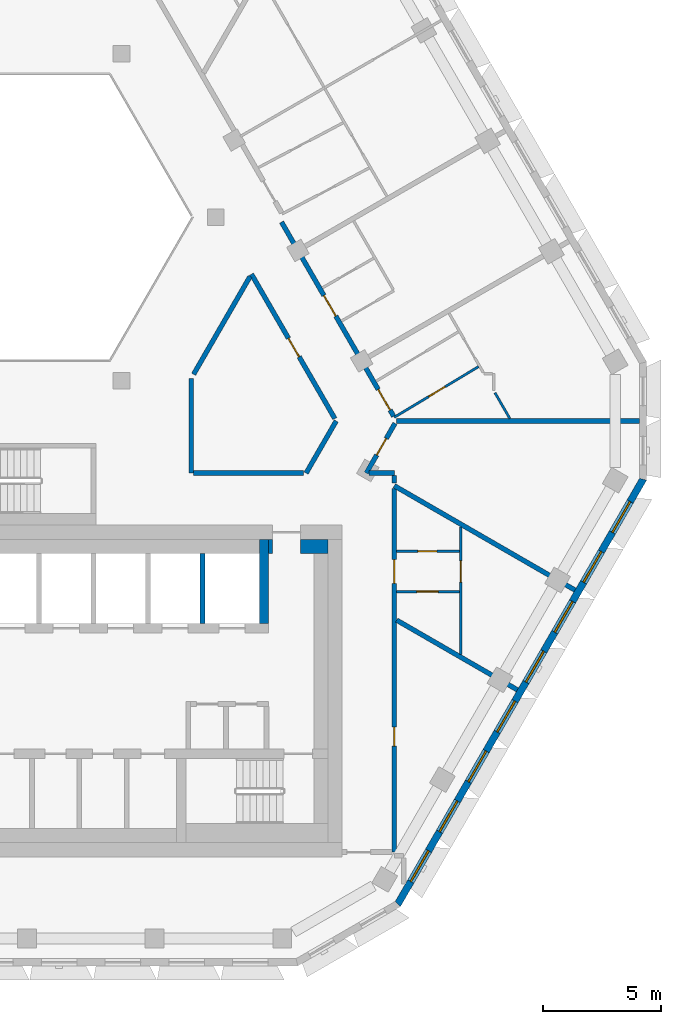
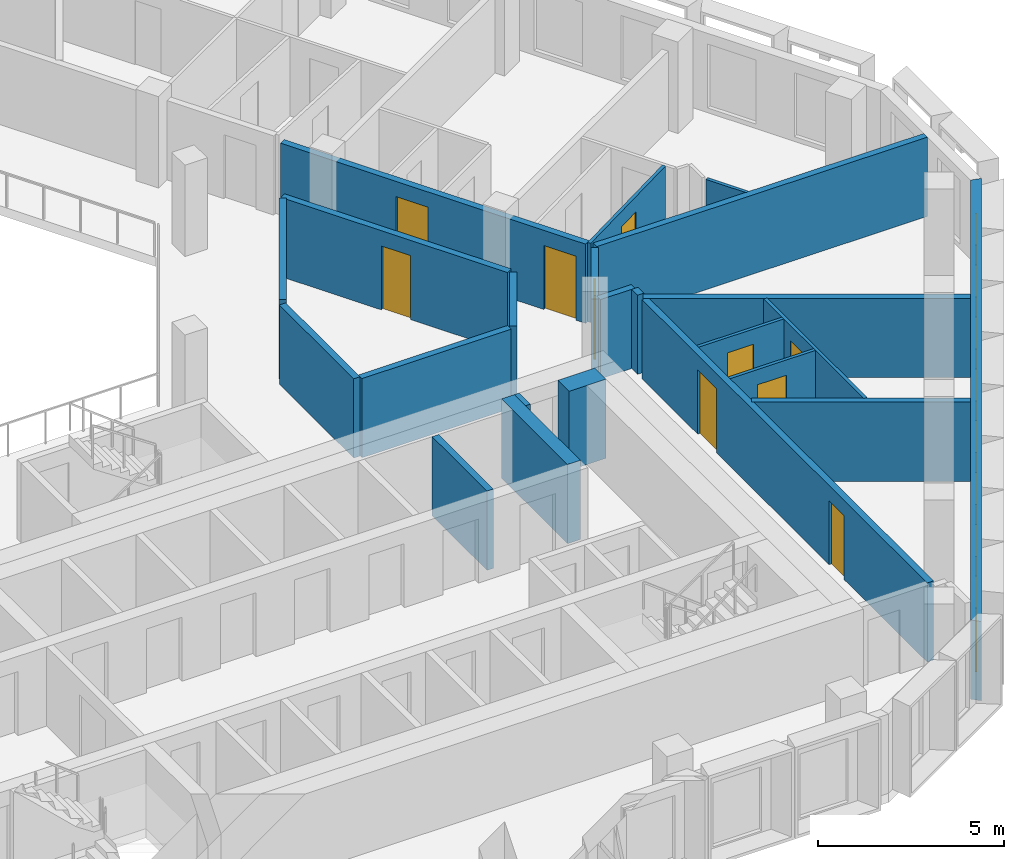
# One storey, part 6 of 18: 23 walls, 10 doors, 8 windows, 18 openings.
"""IFC4 building model written with IfcOpenShell, lengths in metres."""

from ifc_helpers import new_model, si_unit, direction, frame, frame_2d, origin, place, context, subcontext, project, spatial, polyline, rectangle, outline, extrude, material, layer, layer_set, type_object, element, fill, save


model = new_model("IFC4")

# Units and contexts
model_context = context("Model", 3, precision=1e-05, world=origin(), true_north=direction((0.0, 1.0)))
body_context = subcontext(model_context, "Body", "Model", "MODEL_VIEW")
ifc_project = project(units=[si_unit("LENGTHUNIT", "METRE"), si_unit("AREAUNIT", "SQUARE_METRE"), si_unit("VOLUMEUNIT", "CUBIC_METRE"), si_unit("PLANEANGLEUNIT", "RADIAN"), si_unit("MASSUNIT", "GRAM", prefix="KILO")], contexts=[model_context])

# Site, building, storey
site_placement = place(None, origin())
site = spatial("IfcSite", under=ifc_project, at=site_placement, CompositionType="ELEMENT")
building_placement = place(site_placement, origin())
building = spatial("IfcBuilding", under=site, at=building_placement, Name="Beryl Residences", CompositionType="ELEMENT")
storey_placement = place(building_placement, frame((0.0, 0.0, 196.199951171875)))
storey = spatial("IfcBuildingStorey", under=building, at=storey_placement, Name="L60", CompositionType="ELEMENT", Elevation=196.199951171875)

# Wall, openings, windows
ifc_material_1 = material(Name="Composite metal panel with mineral wool insulation")
ifc_layer_1 = layer(ifc_material_1, 0.300048828125)
ifc_layer_set_1 = layer_set([ifc_layer_1], Name="ES1 pale metal composite panel wall 300 mm")
wall_type_1 = type_object("IfcWallType", Name="ES1 pale metal composite panel wall 300 mm", PredefinedType="SOLIDWALL", material=ifc_layer_set_1)
wall_1_placement = place(storey_placement, frame((15.631103515625, -21.02490234375, 0.0), z_axis=(0.0, 0.0, 1.0), x_axis=(0.500018670445, 0.86601462413, 0.0)))
wall_1 = element("IfcWall", 1, at=wall_1_placement, inside=storey, type_object=wall_type_1, Name="ES1 external wall L60 SE", PredefinedType="SOLIDWALL", context=body_context, shape_type="SweptSolid", body=[
    extrude(outline(polyline([(0.0, -0.14990234375), (20.784912109375, -0.14990234375), (20.70458984375, 0.14990234375), (0.080322265625, 0.14990234375), (0.0, -0.14990234375)])), origin(), (0.0, 0.0, 1.0), 2.60009765625),
])
opening_1_placement = place(wall_1_placement, frame((1.1298828125, 0.0, 0.14990234375)))
opening_1 = element("IfcOpeningElement", 2, at=opening_1_placement, cuts=wall_1, Name="Opening W1", PredefinedType="OPENING", context=body_context, shape_type="SweptSolid", body=[
    extrude(rectangle(XDim=1.5, YDim=2.10009765625, at=frame_2d((0.75, 1.050048828125))), frame((0.0, 0.159912109375, 0.0), z_axis=(0.0, -1.0, 0.0), x_axis=(1.0, 0.0, 0.0)), (0.0, 0.0, 1.0), 0.320068359375),
])
opening_2_placement = place(wall_1_placement, frame((3.56201171875, 0.0, 0.14990234375)))
opening_2 = element("IfcOpeningElement", 3, at=opening_2_placement, cuts=wall_1, Name="Opening W1", PredefinedType="OPENING", context=body_context, shape_type="SweptSolid", body=[
    extrude(rectangle(XDim=1.5, YDim=2.10009765625, at=frame_2d((0.75, 1.050048828125))), frame((0.0, 0.159912109375, 0.0), z_axis=(0.0, -1.0, 0.0), x_axis=(1.0, 0.0, 0.0)), (0.0, 0.0, 1.0), 0.320068359375),
])
opening_3_placement = place(wall_1_placement, frame((5.993896484375, 0.0, 0.14990234375)))
opening_3 = element("IfcOpeningElement", 4, at=opening_3_placement, cuts=wall_1, Name="Opening W1", PredefinedType="OPENING", context=body_context, shape_type="SweptSolid", body=[
    extrude(rectangle(XDim=1.5, YDim=2.10009765625, at=frame_2d((0.75, 1.050048828125))), frame((0.0, 0.159912109375, 0.0), z_axis=(0.0, -1.0, 0.0), x_axis=(1.0, 0.0, 0.0)), (0.0, 0.0, 1.0), 0.320068359375),
])
opening_4_placement = place(wall_1_placement, frame((8.425048828125, 0.0, 0.14990234375)))
opening_4 = element("IfcOpeningElement", 5, at=opening_4_placement, cuts=wall_1, Name="Opening W1", PredefinedType="OPENING", context=body_context, shape_type="SweptSolid", body=[
    extrude(rectangle(XDim=1.5, YDim=2.10009765625, at=frame_2d((0.75, 1.050048828125))), frame((0.0, 0.159912109375, 0.0), z_axis=(0.0, -1.0, 0.0), x_axis=(1.0, 0.0, 0.0)), (0.0, 0.0, 1.0), 0.320068359375),
])
opening_5_placement = place(wall_1_placement, frame((10.85693359375, 0.0, 0.14990234375)))
opening_5 = element("IfcOpeningElement", 6, at=opening_5_placement, cuts=wall_1, Name="Opening W1", PredefinedType="OPENING", context=body_context, shape_type="SweptSolid", body=[
    extrude(rectangle(XDim=1.5, YDim=2.10009765625, at=frame_2d((0.75, 1.050048828125))), frame((0.0, 0.159912109375, 0.0), z_axis=(0.0, -1.0, 0.0), x_axis=(1.0, 0.0, 0.0)), (0.0, 0.0, 1.0), 0.320068359375),
])
opening_6_placement = place(wall_1_placement, frame((13.2890625, 0.0, 0.14990234375)))
opening_6 = element("IfcOpeningElement", 7, at=opening_6_placement, cuts=wall_1, Name="Opening W1", PredefinedType="OPENING", context=body_context, shape_type="SweptSolid", body=[
    extrude(rectangle(XDim=1.5, YDim=2.10009765625, at=frame_2d((0.75, 1.050048828125))), frame((0.0, 0.159912109375, 0.0), z_axis=(0.0, -1.0, 0.0), x_axis=(1.0, 0.0, 0.0)), (0.0, 0.0, 1.0), 0.320068359375),
])
opening_7_placement = place(wall_1_placement, frame((15.721923828125, 0.0, 0.14990234375)))
opening_7 = element("IfcOpeningElement", 8, at=opening_7_placement, cuts=wall_1, Name="Opening W1", PredefinedType="OPENING", context=body_context, shape_type="SweptSolid", body=[
    extrude(rectangle(XDim=1.5, YDim=2.10009765625, at=frame_2d((0.75, 1.050048828125))), frame((0.0, 0.159912109375, 0.0), z_axis=(0.0, -1.0, 0.0), x_axis=(1.0, 0.0, 0.0)), (0.0, 0.0, 1.0), 0.320068359375),
])
opening_8_placement = place(wall_1_placement, frame((18.154052734375, 0.0, 0.14990234375)))
opening_8 = element("IfcOpeningElement", 9, at=opening_8_placement, cuts=wall_1, Name="Opening W1", PredefinedType="OPENING", context=body_context, shape_type="SweptSolid", body=[
    extrude(rectangle(XDim=1.5, YDim=2.10009765625, at=frame_2d((0.75, 1.050048828125))), frame((0.0, 0.159912109375, 0.0), z_axis=(0.0, -1.0, 0.0), x_axis=(1.0, 0.0, 0.0)), (0.0, 0.0, 1.0), 0.320068359375),
])
ifc_material_2 = material(Name="Aluminium and clear glass", Category="aluminium")
window_type = type_object("IfcWindowType", Name="W1 cell window 1500 x 2100 mm", PartitioningType="SINGLE_PANEL", PredefinedType="WINDOW", material=ifc_material_2)
window_1_placement = place(opening_1_placement, origin())
window_1 = element("IfcWindow", 10, at=window_1_placement, inside=storey, type_object=window_type, Name="W1 window L60 SE 1", OverallHeight=2.10009765625, OverallWidth=1.5, PartitioningType="SINGLE_PANEL", PredefinedType="WINDOW", context=body_context, shape_type="SweptSolid", body=[
    extrude(rectangle(XDim=1.5, YDim=2.10009765625, at=frame_2d((0.75, 1.050048828125))), frame((0.0, 0.030029296875, 0.0), z_axis=(0.0, -1.0, 0.0), x_axis=(1.0, 0.0, 0.0)), (0.0, 0.0, 1.0), 0.06005859375),
])
fill(opening_1, window_1)
window_2_placement = place(opening_2_placement, origin())
window_2 = element("IfcWindow", 11, at=window_2_placement, inside=storey, type_object=window_type, Name="W1 window L60 SE 2", OverallHeight=2.10009765625, OverallWidth=1.5, PartitioningType="SINGLE_PANEL", PredefinedType="WINDOW", context=body_context, shape_type="SweptSolid", body=[
    extrude(rectangle(XDim=1.5, YDim=2.10009765625, at=frame_2d((0.75, 1.050048828125))), frame((0.0, 0.030029296875, 0.0), z_axis=(0.0, -1.0, 0.0), x_axis=(1.0, 0.0, 0.0)), (0.0, 0.0, 1.0), 0.06005859375),
])
fill(opening_2, window_2)
window_3_placement = place(opening_3_placement, origin())
window_3 = element("IfcWindow", 12, at=window_3_placement, inside=storey, type_object=window_type, Name="W1 window L60 SE 3", OverallHeight=2.10009765625, OverallWidth=1.5, PartitioningType="SINGLE_PANEL", PredefinedType="WINDOW", context=body_context, shape_type="SweptSolid", body=[
    extrude(rectangle(XDim=1.5, YDim=2.10009765625, at=frame_2d((0.75, 1.050048828125))), frame((0.0, 0.030029296875, 0.0), z_axis=(0.0, -1.0, 0.0), x_axis=(1.0, 0.0, 0.0)), (0.0, 0.0, 1.0), 0.06005859375),
])
fill(opening_3, window_3)
window_4_placement = place(opening_4_placement, origin())
window_4 = element("IfcWindow", 13, at=window_4_placement, inside=storey, type_object=window_type, Name="W1 window L60 SE 4", OverallHeight=2.10009765625, OverallWidth=1.5, PartitioningType="SINGLE_PANEL", PredefinedType="WINDOW", context=body_context, shape_type="SweptSolid", body=[
    extrude(rectangle(XDim=1.5, YDim=2.10009765625, at=frame_2d((0.75, 1.050048828125))), frame((0.0, 0.030029296875, 0.0), z_axis=(0.0, -1.0, 0.0), x_axis=(1.0, 0.0, 0.0)), (0.0, 0.0, 1.0), 0.06005859375),
])
fill(opening_4, window_4)
window_5_placement = place(opening_5_placement, origin())
window_5 = element("IfcWindow", 14, at=window_5_placement, inside=storey, type_object=window_type, Name="W1 window L60 SE 5", OverallHeight=2.10009765625, OverallWidth=1.5, PartitioningType="SINGLE_PANEL", PredefinedType="WINDOW", context=body_context, shape_type="SweptSolid", body=[
    extrude(rectangle(XDim=1.5, YDim=2.10009765625, at=frame_2d((0.75, 1.050048828125))), frame((0.0, 0.030029296875, 0.0), z_axis=(0.0, -1.0, 0.0), x_axis=(1.0, 0.0, 0.0)), (0.0, 0.0, 1.0), 0.06005859375),
])
fill(opening_5, window_5)
window_6_placement = place(opening_6_placement, origin())
window_6 = element("IfcWindow", 15, at=window_6_placement, inside=storey, type_object=window_type, Name="W1 window L60 SE 6", OverallHeight=2.10009765625, OverallWidth=1.5, PartitioningType="SINGLE_PANEL", PredefinedType="WINDOW", context=body_context, shape_type="SweptSolid", body=[
    extrude(rectangle(XDim=1.5, YDim=2.10009765625, at=frame_2d((0.75, 1.050048828125))), frame((0.0, 0.030029296875, 0.0), z_axis=(0.0, -1.0, 0.0), x_axis=(1.0, 0.0, 0.0)), (0.0, 0.0, 1.0), 0.06005859375),
])
fill(opening_6, window_6)
window_7_placement = place(opening_7_placement, origin())
window_7 = element("IfcWindow", 16, at=window_7_placement, inside=storey, type_object=window_type, Name="W1 window L60 SE 7", OverallHeight=2.10009765625, OverallWidth=1.5, PartitioningType="SINGLE_PANEL", PredefinedType="WINDOW", context=body_context, shape_type="SweptSolid", body=[
    extrude(rectangle(XDim=1.5, YDim=2.10009765625, at=frame_2d((0.75, 1.050048828125))), frame((0.0, 0.030029296875, 0.0), z_axis=(0.0, -1.0, 0.0), x_axis=(1.0, 0.0, 0.0)), (0.0, 0.0, 1.0), 0.06005859375),
])
fill(opening_7, window_7)
window_8_placement = place(opening_8_placement, origin())
window_8 = element("IfcWindow", 17, at=window_8_placement, inside=storey, type_object=window_type, Name="W1 window L60 SE 8", OverallHeight=2.10009765625, OverallWidth=1.5, PartitioningType="SINGLE_PANEL", PredefinedType="WINDOW", context=body_context, shape_type="SweptSolid", body=[
    extrude(rectangle(XDim=1.5, YDim=2.10009765625, at=frame_2d((0.75, 1.050048828125))), frame((0.0, 0.030029296875, 0.0), z_axis=(0.0, -1.0, 0.0), x_axis=(1.0, 0.0, 0.0)), (0.0, 0.0, 1.0), 0.06005859375),
])
fill(opening_8, window_8)

# Wall
ifc_material_3 = material(Name="Gypsum board partition on steel studs", Category="steel")
ifc_layer_2 = layer(ifc_material_3, 0.10009765625)
ifc_layer_set_2 = layer_set([ifc_layer_2], Name="PT1 partition 100 mm gypsum board on steel studs")
wall_type_2 = type_object("IfcWallType", Name="PT1 partition 100 mm gypsum board on steel studs", PredefinedType="PARTITIONING", material=ifc_layer_set_2)
wall_2_placement = place(storey_placement, frame((19.75, 0.592041015625, 0.0), z_axis=(0.0, 0.0, 1.0), x_axis=(0.499974077718, -0.866040369504, 0.0)))
element("IfcWall", 18, at=wall_2_placement, inside=storey, type_object=wall_type_2, Name="Wall PT1 L60 005", PredefinedType="PARTITIONING", context=body_context, shape_type="SweptSolid", body=[
    extrude(rectangle(XDim=1.259765625, YDim=0.10009765625, at=frame_2d((0.6298828125, 0.0))), origin(), (0.0, 0.0, 1.0), 2.60009765625),
])

# Wall, opening, door
wall_3_placement = place(storey_placement, frame((15.60009765625, -6.10107421875, 0.0), z_axis=(0.0, 0.0, 1.0), x_axis=(1.0, 0.0, 0.0)))
wall_3 = element("IfcWall", 19, at=wall_3_placement, inside=storey, type_object=wall_type_2, Name="Wall PT1 L60 018", PredefinedType="PARTITIONING", context=body_context, shape_type="SweptSolid", body=[
    extrude(rectangle(XDim=2.64990234375, YDim=0.10009765625, at=frame_2d((1.324951171875, 0.0))), origin(), (0.0, 0.0, 1.0), 2.60009765625),
])
opening_9_placement = place(wall_3_placement, frame((0.89990234375, 0.0, 0.0)))
opening_9 = element("IfcOpeningElement", 20, at=opening_9_placement, cuts=wall_3, Name="Opening D1535", PredefinedType="OPENING", context=body_context, shape_type="SweptSolid", body=[
    extrude(rectangle(XDim=0.800048828125, YDim=2.10009765625, at=frame_2d((0.39990234375, 1.050048828125))), frame((0.0, 0.06005859375, 0.0), z_axis=(0.0, -1.0, 0.0), x_axis=(1.0, 0.0, 0.0)), (0.0, 0.0, 1.0), 0.1201171875),
])
ifc_material_4 = material(Name="Timber door leaf", Category="wood")
door_type_1 = type_object("IfcDoorType", Name="D3 bathroom door 800 x 2100 mm", OperationType="SINGLE_SWING_LEFT", PredefinedType="DOOR", material=ifc_material_4)
door_1_placement = place(opening_9_placement, origin())
door_1 = element("IfcDoor", 21, at=door_1_placement, inside=storey, type_object=door_type_1, Name="Door D1535 L60 001", OperationType="SINGLE_SWING_LEFT", OverallHeight=2.10009765625, OverallWidth=0.800048828125, PredefinedType="DOOR", context=body_context, shape_type="SweptSolid", body=[
    extrude(rectangle(XDim=0.800048828125, YDim=2.10009765625, at=frame_2d((0.39990234375, 1.050048828125))), frame((0.0, 0.02490234375, 0.0), z_axis=(0.0, -1.0, 0.0), x_axis=(1.0, 0.0, 0.0)), (0.0, 0.0, 1.0), 0.050048828125),
])
fill(opening_9, door_1)

wall_4_placement = place(storey_placement, frame((15.60009765625, -7.801025390625, 0.0), z_axis=(0.0, 0.0, 1.0), x_axis=(1.0, 0.0, 0.0)))
wall_4 = element("IfcWall", 22, at=wall_4_placement, inside=storey, type_object=wall_type_2, Name="Wall PT1 L60 019", PredefinedType="PARTITIONING", context=body_context, shape_type="SweptSolid", body=[
    extrude(rectangle(XDim=2.64990234375, YDim=0.10009765625, at=frame_2d((1.324951171875, 0.0))), origin(), (0.0, 0.0, 1.0), 2.60009765625),
])
opening_10_placement = place(wall_4_placement, frame((0.85009765625, 0.0, 0.0)))
opening_10 = element("IfcOpeningElement", 23, at=opening_10_placement, cuts=wall_4, Name="Opening D1536", PredefinedType="OPENING", context=body_context, shape_type="SweptSolid", body=[
    extrude(rectangle(XDim=0.89990234375, YDim=2.10009765625, at=frame_2d((0.449951171875, 1.050048828125))), frame((0.0, 0.06005859375, 0.0), z_axis=(0.0, -1.0, 0.0), x_axis=(1.0, 0.0, 0.0)), (0.0, 0.0, 1.0), 0.1201171875),
])
ifc_material_5 = material(Name="Timber door leaf", Category="wood")
door_type_2 = type_object("IfcDoorType", Name="D2 room door 900 x 2100 mm", OperationType="SINGLE_SWING_LEFT", PredefinedType="DOOR", material=ifc_material_5)
door_2_placement = place(opening_10_placement, origin())
door_2 = element("IfcDoor", 24, at=door_2_placement, inside=storey, type_object=door_type_2, Name="Door D1536 L60 001", OperationType="SINGLE_SWING_RIGHT", OverallHeight=2.10009765625, OverallWidth=0.89990234375, PredefinedType="DOOR", context=body_context, shape_type="SweptSolid", body=[
    extrude(rectangle(XDim=0.89990234375, YDim=2.10009765625, at=frame_2d((0.449951171875, 1.050048828125))), frame((0.0, 0.02490234375, 0.0), z_axis=(0.0, -1.0, 0.0), x_axis=(1.0, 0.0, 0.0)), (0.0, 0.0, 1.0), 0.050048828125),
])
fill(opening_10, door_2)

wall_5_placement = place(storey_placement, frame((18.300048828125, -10.451904296875, 0.0), z_axis=(0.0, 0.0, 1.0), x_axis=(0.0, 1.0, 0.0)))
wall_5 = element("IfcWall", 25, at=wall_5_placement, inside=storey, type_object=wall_type_2, Name="Wall PT1 L60 032", PredefinedType="PARTITIONING", context=body_context, shape_type="SweptSolid", body=[
    extrude(rectangle(XDim=5.385986328125, YDim=0.10009765625, at=frame_2d((2.69287109375, 0.0))), origin(), (0.0, 0.0, 1.0), 2.60009765625),
])
opening_11_placement = place(wall_5_placement, frame((3.051025390625, 0.0, 0.0)))
opening_11 = element("IfcOpeningElement", 26, at=opening_11_placement, cuts=wall_5, Name="Opening D1537", PredefinedType="OPENING", context=body_context, shape_type="SweptSolid", body=[
    extrude(rectangle(XDim=0.89990234375, YDim=2.10009765625, at=frame_2d((0.449951171875, 1.050048828125))), frame((0.0, 0.06005859375, 0.0), z_axis=(0.0, -1.0, 0.0), x_axis=(1.0, 0.0, 0.0)), (0.0, 0.0, 1.0), 0.1201171875),
])
door_3_placement = place(opening_11_placement, origin())
door_3 = element("IfcDoor", 27, at=door_3_placement, inside=storey, type_object=door_type_2, Name="Door D1537 L60 001", OperationType="SINGLE_SWING_LEFT", OverallHeight=2.10009765625, OverallWidth=0.89990234375, PredefinedType="DOOR", context=body_context, shape_type="SweptSolid", body=[
    extrude(rectangle(XDim=0.89990234375, YDim=2.10009765625, at=frame_2d((0.449951171875, 1.050048828125))), frame((0.0, 0.02490234375, 0.0), z_axis=(0.0, -1.0, 0.0), x_axis=(1.0, 0.0, 0.0)), (0.0, 0.0, 1.0), 0.050048828125),
])
fill(opening_11, door_3)

wall_6_placement = place(storey_placement, frame((15.4990234375, -0.444091796875, 0.0), z_axis=(0.0, 0.0, 1.0), x_axis=(0.857061798163, 0.515213619899, 0.0)))
wall_6 = element("IfcWall", 28, at=wall_6_placement, inside=storey, type_object=wall_type_2, Name="Wall PT1 L60 048", PredefinedType="PARTITIONING", context=body_context, shape_type="SweptSolid", body=[
    extrude(rectangle(XDim=4.150146484375, YDim=0.10009765625, at=frame_2d((2.0751953125, 0.0))), origin(), (0.0, 0.0, 1.0), 2.60009765625),
])
opening_12_placement = place(wall_6_placement, frame((1.699951171875, 0.0, 0.0)))
opening_12 = element("IfcOpeningElement", 29, at=opening_12_placement, cuts=wall_6, Name="Opening D1541", PredefinedType="OPENING", context=body_context, shape_type="SweptSolid", body=[
    extrude(rectangle(XDim=0.800048828125, YDim=2.10009765625, at=frame_2d((0.39990234375, 1.050048828125))), frame((0.0, 0.06005859375, 0.0), z_axis=(0.0, -1.0, 0.0), x_axis=(1.0, 0.0, 0.0)), (0.0, 0.0, 1.0), 0.1201171875),
])
door_4_placement = place(opening_12_placement, origin())
door_4 = element("IfcDoor", 30, at=door_4_placement, inside=storey, type_object=door_type_1, Name="Door D1541 L60 001", OperationType="SINGLE_SWING_LEFT", OverallHeight=2.10009765625, OverallWidth=0.800048828125, PredefinedType="DOOR", context=body_context, shape_type="SweptSolid", body=[
    extrude(rectangle(XDim=0.800048828125, YDim=2.10009765625, at=frame_2d((0.39990234375, 1.050048828125))), frame((0.0, 0.02490234375, 0.0), z_axis=(0.0, -1.0, 0.0), x_axis=(1.0, 0.0, 0.0)), (0.0, 0.0, 1.0), 0.050048828125),
])
fill(opening_12, door_4)

# Walls
ifc_material_6 = material(Name="Concrete masonry", Category="masonry")
ifc_layer_3 = layer(ifc_material_6, 0.14990234375)
ifc_layer_set_3 = layer_set([ifc_layer_3], Name="PT13-150 lobby wall 150 mm")
wall_type_3 = type_object("IfcWallType", Name="PT13-150 lobby wall 150 mm", PredefinedType="PARTITIONING", material=ifc_layer_set_3)
wall_7_placement = place(storey_placement, frame((10.27490234375, -6.199951171875, 0.0), z_axis=(0.0, 0.0, 1.0), x_axis=(0.0, 1.0, 0.0)))
element("IfcWall", 31, at=wall_7_placement, inside=storey, type_object=wall_type_3, Name="Lobby wall 31", PredefinedType="PARTITIONING", context=body_context, shape_type="SweptSolid", body=[
    extrude(rectangle(XDim=0.599853515625, YDim=0.14990234375, at=frame_2d((0.2998046875, 0.0))), origin(), (0.0, 0.0, 1.0), 2.60009765625),
])
ifc_material_7 = material(Name="Concrete masonry", Category="masonry")
ifc_layer_4 = layer(ifc_material_7, 0.60009765625)
ifc_layer_set_4 = layer_set([ifc_layer_4], Name="PT13-600 lobby wall 600 mm")
wall_type_4 = type_object("IfcWallType", Name="PT13-600 lobby wall 600 mm", PredefinedType="PARTITIONING", material=ifc_layer_set_4)
wall_8_placement = place(storey_placement, frame((11.550048828125, -5.89990234375, 0.0), z_axis=(0.0, 0.0, 1.0), x_axis=(1.0, 0.0, 0.0)))
element("IfcWall", 32, at=wall_8_placement, inside=storey, type_object=wall_type_4, Name="Lobby wall 32", PredefinedType="PARTITIONING", context=body_context, shape_type="SweptSolid", body=[
    extrude(rectangle(XDim=1.14990234375, YDim=0.60009765625, at=frame_2d((0.574951171875, 0.0))), origin(), (0.0, 0.0, 1.0), 2.60009765625),
])
ifc_material_8 = material(Name="Acoustic double stud gypsum board wall")
ifc_layer_5 = layer(ifc_material_8, 0.199951171875)
ifc_layer_set_5 = layer_set([ifc_layer_5], Name="PT3 party wall 200 mm acoustic double stud")
wall_type_5 = type_object("IfcWallType", Name="PT3 party wall 200 mm acoustic double stud", PredefinedType="PARTITIONING", material=ifc_layer_set_5)
wall_9_placement = place(storey_placement, frame((15.60009765625, -9.008056640625, 0.0), z_axis=(0.0, 0.0, 1.0), x_axis=(0.866013576751, -0.500020484464, 0.0)))
element("IfcWall", 33, at=wall_9_placement, inside=storey, type_object=wall_type_5, Name="Wall PT3 L60 005", PredefinedType="PARTITIONING", context=body_context, shape_type="SweptSolid", body=[
    extrude(rectangle(XDim=5.885498046875, YDim=0.199951171875, at=frame_2d((2.94287109375, 0.0))), origin(), (0.0, 0.0, 1.0), 2.60009765625),
])
wall_10_placement = place(storey_placement, frame((15.5, -3.333984375, 0.0), z_axis=(0.0, 0.0, 1.0), x_axis=(0.866001896501, -0.5000407136, 0.0)))
element("IfcWall", 34, at=wall_10_placement, inside=storey, type_object=wall_type_5, Name="Wall PT3 L60 006", PredefinedType="PARTITIONING", context=body_context, shape_type="SweptSolid", body=[
    extrude(rectangle(XDim=8.809326171875, YDim=0.199951171875, at=frame_2d((4.40478515625, 0.0))), origin(), (0.0, 0.0, 1.0), 2.60009765625),
])
wall_11_placement = place(storey_placement, frame((15.587890625, -0.59912109375, 0.0), z_axis=(0.0, 0.0, 1.0), x_axis=(1.0, 0.0, 0.0)))
element("IfcWall", 35, at=wall_11_placement, inside=storey, type_object=wall_type_5, Name="Wall PT3 L60 007", PredefinedType="PARTITIONING", context=body_context, shape_type="SweptSolid", body=[
    extrude(rectangle(XDim=10.26611328125, YDim=0.199951171875, at=frame_2d((5.133056640625, 0.0))), origin(), (0.0, 0.0, 1.0), 2.60009765625),
])

# Wall, opening, door
ifc_material_9 = material(Name="Double stud gypsum board wall")
ifc_layer_6 = layer(ifc_material_9, 0.199951171875)
ifc_layer_set_6 = layer_set([ifc_layer_6], Name="PT4 corridor wall 200 mm double stud")
wall_type_6 = type_object("IfcWallType", Name="PT4 corridor wall 200 mm double stud", PredefinedType="PARTITIONING", material=ifc_layer_set_6)
wall_12_placement = place(storey_placement, frame((9.468994140625, 5.60009765625, 0.0), z_axis=(0.0, 0.0, 1.0), x_axis=(0.499964524401, -0.866045884662, 0.0)))
wall_12 = element("IfcWall", 36, at=wall_12_placement, inside=storey, type_object=wall_type_6, Name="Wall PT4 L60 004", PredefinedType="PARTITIONING", context=body_context, shape_type="SweptSolid", body=[
    extrude(rectangle(XDim=7.04248046875, YDim=0.199951171875, at=frame_2d((3.521240234375, 0.0))), origin(), (0.0, 0.0, 1.0), 2.60009765625),
])
opening_13_placement = place(wall_12_placement, frame((3.12890625, 0.0, 0.0)))
opening_13 = element("IfcOpeningElement", 37, at=opening_13_placement, cuts=wall_12, Name="Opening D1547", PredefinedType="OPENING", context=body_context, shape_type="SweptSolid", body=[
    extrude(rectangle(XDim=0.89990234375, YDim=2.10009765625, at=frame_2d((0.449951171875, 1.050048828125))), frame((0.0, 0.10986328125, 0.0), z_axis=(0.0, -1.0, 0.0), x_axis=(1.0, 0.0, 0.0)), (0.0, 0.0, 1.0), 0.219970703125),
])
door_5_placement = place(opening_13_placement, origin())
door_5 = element("IfcDoor", 38, at=door_5_placement, inside=storey, type_object=door_type_2, Name="Door D1547 L60 001", OperationType="SINGLE_SWING_LEFT", OverallHeight=2.10009765625, OverallWidth=0.89990234375, PredefinedType="DOOR", context=body_context, shape_type="SweptSolid", body=[
    extrude(rectangle(XDim=0.89990234375, YDim=2.10009765625, at=frame_2d((0.449951171875, 1.050048828125))), frame((0.0, 0.02490234375, 0.0), z_axis=(0.0, -1.0, 0.0), x_axis=(1.0, 0.0, 0.0)), (0.0, 0.0, 1.0), 0.050048828125),
])
fill(opening_13, door_5)

# Wall, openings, doors
wall_13_placement = place(storey_placement, frame((10.739013671875, 7.800048828125, 0.0), z_axis=(0.0, 0.0, 1.0), x_axis=(0.500023726918, -0.866011704609, 0.0)))
wall_13 = element("IfcWall", 39, at=wall_13_placement, inside=storey, type_object=wall_type_6, Name="Wall PT4 L60 005", PredefinedType="PARTITIONING", context=body_context, shape_type="SweptSolid", body=[
    extrude(rectangle(XDim=9.4697265625, YDim=0.199951171875, at=frame_2d((4.73486328125, 0.0))), origin(), (0.0, 0.0, 1.0), 2.60009765625),
])
opening_14_placement = place(wall_13_placement, frame((8.16796875, 0.0, 0.0)))
opening_14 = element("IfcOpeningElement", 40, at=opening_14_placement, cuts=wall_13, Name="Opening D1539", PredefinedType="OPENING", context=body_context, shape_type="SweptSolid", body=[
    extrude(rectangle(XDim=1.0, YDim=2.10009765625, at=frame_2d((0.5, 1.050048828125))), frame((0.0, 0.10986328125, 0.0), z_axis=(0.0, -1.0, 0.0), x_axis=(1.0, 0.0, 0.0)), (0.0, 0.0, 1.0), 0.219970703125),
])
opening_15_placement = place(wall_13_placement, frame((3.577880859375, 0.0, 0.0)))
opening_15 = element("IfcOpeningElement", 41, at=opening_15_placement, cuts=wall_13, Name="Opening D1543", PredefinedType="OPENING", context=body_context, shape_type="SweptSolid", body=[
    extrude(rectangle(XDim=1.0, YDim=2.10009765625, at=frame_2d((0.5, 1.050048828125))), frame((0.0, 0.10986328125, 0.0), z_axis=(0.0, -1.0, 0.0), x_axis=(1.0, 0.0, 0.0)), (0.0, 0.0, 1.0), 0.219970703125),
])
ifc_material_10 = material(Name="Timber door leaf", Category="wood")
door_type_3 = type_object("IfcDoorType", Name="D1 flat entrance door 1000 x 2100 mm", OperationType="SINGLE_SWING_LEFT", PredefinedType="DOOR", material=ifc_material_10)
door_6_placement = place(opening_14_placement, origin())
door_6 = element("IfcDoor", 42, at=door_6_placement, inside=storey, type_object=door_type_3, Name="Door D1539 L60 001", OperationType="SINGLE_SWING_LEFT", OverallHeight=2.10009765625, OverallWidth=1.0, PredefinedType="DOOR", context=body_context, shape_type="SweptSolid", body=[
    extrude(rectangle(XDim=1.0, YDim=2.10009765625, at=frame_2d((0.5, 1.050048828125))), frame((0.0, 0.02490234375, 0.0), z_axis=(0.0, -1.0, 0.0), x_axis=(1.0, 0.0, 0.0)), (0.0, 0.0, 1.0), 0.050048828125),
])
fill(opening_14, door_6)
door_7_placement = place(opening_15_placement, origin())
door_7 = element("IfcDoor", 43, at=door_7_placement, inside=storey, type_object=door_type_3, Name="Door D1543 L60 001", OperationType="SINGLE_SWING_LEFT", OverallHeight=2.10009765625, OverallWidth=1.0, PredefinedType="DOOR", context=body_context, shape_type="SweptSolid", body=[
    extrude(rectangle(XDim=1.0, YDim=2.10009765625, at=frame_2d((0.5, 1.050048828125))), frame((0.0, 0.02490234375, 0.0), z_axis=(0.0, -1.0, 0.0), x_axis=(1.0, 0.0, 0.0)), (0.0, 0.0, 1.0), 0.050048828125),
])
fill(opening_15, door_7)

# Walls
wall_14_placement = place(storey_placement, frame((15.5, -2.90087890625, 0.0), z_axis=(0.0, 0.0, 1.0), x_axis=(0.0, -1.0, 0.0)))
element("IfcWall", 44, at=wall_14_placement, inside=storey, type_object=wall_type_6, Name="Wall PT4 L60 007", PredefinedType="PARTITIONING", context=body_context, shape_type="SweptSolid", body=[
    extrude(rectangle(XDim=0.318115234375, YDim=0.199951171875, at=frame_2d((0.1591796875, 0.0))), origin(), (0.0, 0.0, 1.0), 2.60009765625),
])
wall_15_placement = place(storey_placement, frame((7.028076171875, -2.800048828125, 0.0), z_axis=(0.0, 0.0, 1.0), x_axis=(1.0, 0.0, 0.0)))
element("IfcWall", 45, at=wall_15_placement, inside=storey, type_object=wall_type_6, Name="Wall PT4 L60 012", PredefinedType="PARTITIONING", context=body_context, shape_type="SweptSolid", body=[
    extrude(rectangle(XDim=4.634033203125, YDim=0.199951171875, at=frame_2d((2.31689453125, 0.0))), origin(), (0.0, 0.0, 1.0), 2.60009765625),
])
wall_16_placement = place(storey_placement, frame((14.43310546875, -2.800048828125, 0.0), z_axis=(0.0, 0.0, 1.0), x_axis=(1.0, 0.0, 0.0)))
element("IfcWall", 46, at=wall_16_placement, inside=storey, type_object=wall_type_6, Name="Wall PT4 L60 013", PredefinedType="PARTITIONING", context=body_context, shape_type="SweptSolid", body=[
    extrude(rectangle(XDim=1.06591796875, YDim=0.199951171875, at=frame_2d((0.532958984375, 0.0))), origin(), (0.0, 0.0, 1.0), 2.60009765625),
])
wall_17_placement = place(storey_placement, frame((7.028076171875, 1.373046875, 0.0), z_axis=(0.0, 0.0, 1.0), x_axis=(0.499953126767, 0.866052464367, 0.0)))
element("IfcWall", 47, at=wall_17_placement, inside=storey, type_object=wall_type_6, Name="Wall PT4 L60 015", PredefinedType="PARTITIONING", context=body_context, shape_type="SweptSolid", body=[
    extrude(rectangle(XDim=4.76416015625, YDim=0.199951171875, at=frame_2d((2.382080078125, 0.0))), origin(), (0.0, 0.0, 1.0), 2.60009765625),
])
wall_18_placement = place(storey_placement, frame((11.777099609375, -2.800048828125, 0.0), z_axis=(0.0, 0.0, 1.0), x_axis=(0.500085537782, 0.86597601289, 0.0)))
element("IfcWall", 48, at=wall_18_placement, inside=storey, type_object=wall_type_6, Name="Wall PT4 L60 016", PredefinedType="PARTITIONING", context=body_context, shape_type="SweptSolid", body=[
    extrude(rectangle(XDim=2.54150390625, YDim=0.199951171875, at=frame_2d((1.270751953125, 0.0))), origin(), (0.0, 0.0, 1.0), 2.60009765625),
])

# Wall, opening, door
wall_19_placement = place(storey_placement, frame((14.318115234375, -2.800048828125, 0.0), z_axis=(0.0, 0.0, 1.0), x_axis=(0.49964693309, 0.866229151122, 0.0)))
wall_19 = element("IfcWall", 49, at=wall_19_placement, inside=storey, type_object=wall_type_6, Name="Wall PT4 L60 017", PredefinedType="PARTITIONING", context=body_context, shape_type="SweptSolid", body=[
    extrude(rectangle(XDim=2.425537109375, YDim=0.199951171875, at=frame_2d((1.212890625, 0.0))), origin(), (0.0, 0.0, 1.0), 2.60009765625),
])
opening_16_placement = place(wall_19_placement, frame((0.885986328125, 0.0, 0.0)))
opening_16 = element("IfcOpeningElement", 50, at=opening_16_placement, cuts=wall_19, Name="Opening D1538", PredefinedType="OPENING", context=body_context, shape_type="SweptSolid", body=[
    extrude(rectangle(XDim=0.800048828125, YDim=2.10009765625, at=frame_2d((0.39990234375, 1.050048828125))), frame((0.0, 0.10986328125, 0.0), z_axis=(0.0, -1.0, 0.0), x_axis=(1.0, 0.0, 0.0)), (0.0, 0.0, 1.0), 0.219970703125),
])
door_8_placement = place(opening_16_placement, origin())
door_8 = element("IfcDoor", 51, at=door_8_placement, inside=storey, type_object=door_type_1, Name="Door D1538 L60 001", OperationType="SINGLE_SWING_RIGHT", OverallHeight=2.10009765625, OverallWidth=0.800048828125, PredefinedType="DOOR", context=body_context, shape_type="SweptSolid", body=[
    extrude(rectangle(XDim=0.800048828125, YDim=2.10009765625, at=frame_2d((0.39990234375, 1.050048828125))), frame((0.0, 0.02490234375, 0.0), z_axis=(0.0, -1.0, 0.0), x_axis=(1.0, 0.0, 0.0)), (0.0, 0.0, 1.0), 0.050048828125),
])
fill(opening_16, door_8)

# Wall
wall_20_placement = place(storey_placement, frame((6.927978515625, -2.800048828125, 0.0), z_axis=(0.0, 0.0, 1.0), x_axis=(0.0, 1.0, 0.0)))
element("IfcWall", 52, at=wall_20_placement, inside=storey, type_object=wall_type_6, Name="Wall PT4 L60 021", PredefinedType="PARTITIONING", context=body_context, shape_type="SweptSolid", body=[
    extrude(rectangle(XDim=4.0, YDim=0.199951171875, at=frame_2d((2.0, 0.0))), origin(), (0.0, 0.0, 1.0), 2.60009765625),
])

# Wall, openings, doors
wall_21_placement = place(storey_placement, frame((15.5, -18.799072265625, 0.0), z_axis=(0.0, 0.0, 1.0), x_axis=(0.0, 1.0, 0.0)))
wall_21 = element("IfcWall", 53, at=wall_21_placement, inside=storey, type_object=wall_type_6, Name="Wall PT4 L60 022", PredefinedType="PARTITIONING", context=body_context, shape_type="SweptSolid", body=[
    extrude(rectangle(XDim=15.34912109375, YDim=0.199951171875, at=frame_2d((7.674560546875, 0.0))), origin(), (0.0, 0.0, 1.0), 2.60009765625),
])
opening_17_placement = place(wall_21_placement, frame((4.47705078125, 0.0, 0.0)))
opening_17 = element("IfcOpeningElement", 54, at=opening_17_placement, cuts=wall_21, Name="Opening D1533", PredefinedType="OPENING", context=body_context, shape_type="SweptSolid", body=[
    extrude(rectangle(XDim=0.800048828125, YDim=2.10009765625, at=frame_2d((0.39990234375, 1.050048828125))), frame((0.0, 0.10986328125, 0.0), z_axis=(0.0, -1.0, 0.0), x_axis=(1.0, 0.0, 0.0)), (0.0, 0.0, 1.0), 0.219970703125),
])
opening_18_placement = place(wall_21_placement, frame((11.347900390625, 0.0, 0.0)))
opening_18 = element("IfcOpeningElement", 55, at=opening_18_placement, cuts=wall_21, Name="Opening D1534", PredefinedType="OPENING", context=body_context, shape_type="SweptSolid", body=[
    extrude(rectangle(XDim=1.0, YDim=2.10009765625, at=frame_2d((0.5, 1.050048828125))), frame((0.0, 0.10986328125, 0.0), z_axis=(0.0, -1.0, 0.0), x_axis=(1.0, 0.0, 0.0)), (0.0, 0.0, 1.0), 0.219970703125),
])
door_9_placement = place(opening_18_placement, origin())
door_9 = element("IfcDoor", 56, at=door_9_placement, inside=storey, type_object=door_type_3, Name="Door D1534 L60 001", OperationType="SINGLE_SWING_RIGHT", OverallHeight=2.10009765625, OverallWidth=1.0, PredefinedType="DOOR", context=body_context, shape_type="SweptSolid", body=[
    extrude(rectangle(XDim=1.0, YDim=2.10009765625, at=frame_2d((0.5, 1.050048828125))), frame((0.0, 0.02490234375, 0.0), z_axis=(0.0, -1.0, 0.0), x_axis=(1.0, 0.0, 0.0)), (0.0, 0.0, 1.0), 0.050048828125),
])
fill(opening_18, door_9)
door_10_placement = place(opening_17_placement, origin())
door_10 = element("IfcDoor", 57, at=door_10_placement, inside=storey, type_object=door_type_1, Name="Door D1533 L60 001", OperationType="SINGLE_SWING_LEFT", OverallHeight=2.10009765625, OverallWidth=0.800048828125, PredefinedType="DOOR", context=body_context, shape_type="SweptSolid", body=[
    extrude(rectangle(XDim=0.800048828125, YDim=2.10009765625, at=frame_2d((0.39990234375, 1.050048828125))), frame((0.0, 0.02490234375, 0.0), z_axis=(0.0, -1.0, 0.0), x_axis=(1.0, 0.0, 0.0)), (0.0, 0.0, 1.0), 0.050048828125),
])
fill(opening_17, door_10)

# Walls
ifc_material_11 = material(Name="Concrete C40/50", Category="concrete")
ifc_layer_7 = layer(ifc_material_11, 0.199951171875)
ifc_layer_set_7 = layer_set([ifc_layer_7], Name="PT6 lift shaft wall 200 mm reinforced concrete C40/50")
wall_type_7 = type_object("IfcWallType", Name="PT6 lift shaft wall 200 mm reinforced concrete C40/50", PredefinedType="SOLIDWALL", material=ifc_layer_set_7)
wall_22_placement = place(storey_placement, frame((7.39990234375, -9.14990234375, 0.0), z_axis=(0.0, 0.0, 1.0), x_axis=(0.0, 1.0, 0.0)))
element("IfcWall", 58, at=wall_22_placement, inside=storey, type_object=wall_type_7, Name="Lift shaft wall 28", PredefinedType="SOLIDWALL", context=body_context, shape_type="SweptSolid", body=[
    extrude(rectangle(XDim=2.949951171875, YDim=0.199951171875, at=frame_2d((1.47509765625, 0.0))), origin(), (0.0, 0.0, 1.0), 2.60009765625),
])
ifc_material_12 = material(Name="Concrete C50/60", Category="concrete")
ifc_layer_8 = layer(ifc_material_12, 0.39990234375)
ifc_layer_set_8 = layer_set([ifc_layer_8], Name="SW9 core internal wall 400 mm C50/60")
wall_type_8 = type_object("IfcWallType", Name="SW9 core internal wall 400 mm C50/60", PredefinedType="SHEAR", material=ifc_layer_set_8)
wall_23_placement = place(storey_placement, frame((10.0, -9.14990234375, 0.0), z_axis=(0.0, 0.0, 1.0), x_axis=(0.0, 1.0, 0.0)))
element("IfcWall", 59, at=wall_23_placement, inside=storey, type_object=wall_type_8, Name="Core wall XN2 L60", PredefinedType="SHEAR", context=body_context, shape_type="SweptSolid", body=[
    extrude(rectangle(XDim=3.5498046875, YDim=0.39990234375, at=frame_2d((1.77490234375, 0.0))), origin(), (0.0, 0.0, 1.0), 2.60009765625),
])

save(model, "model.ifc")
